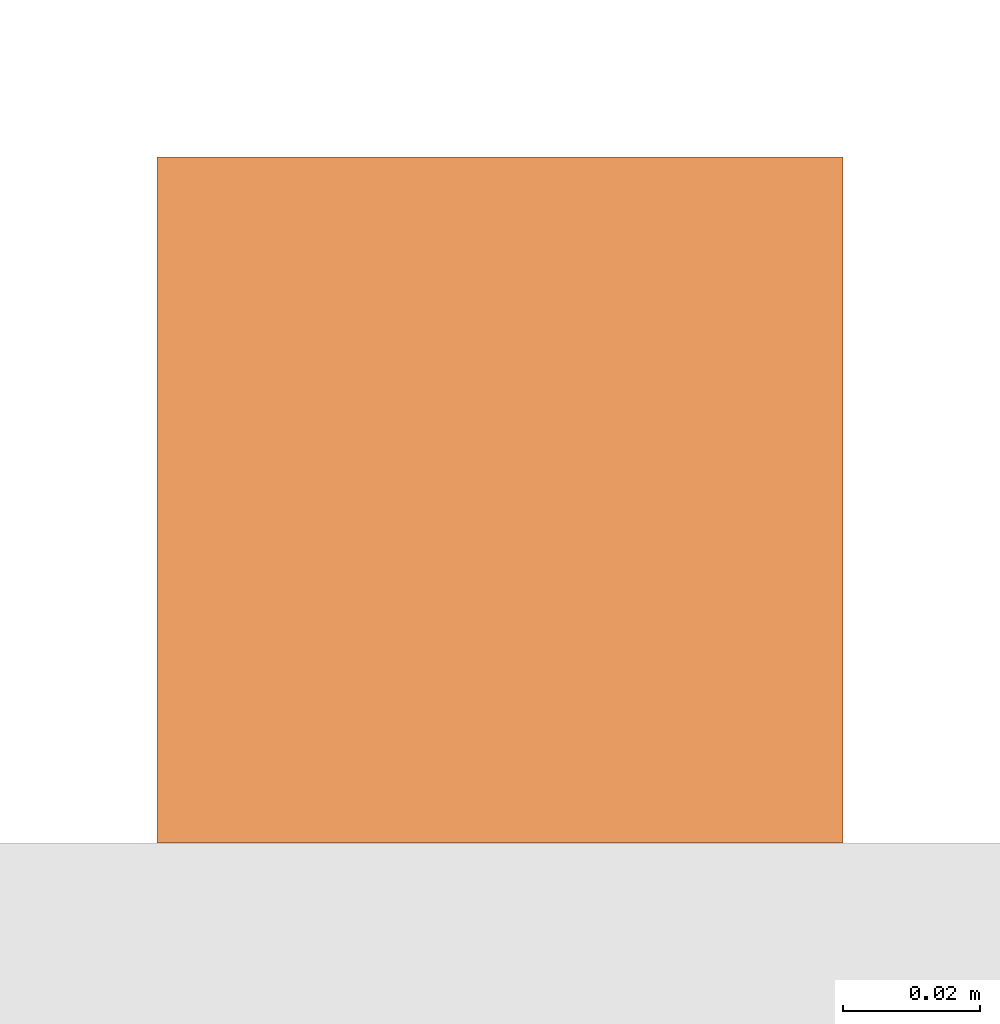
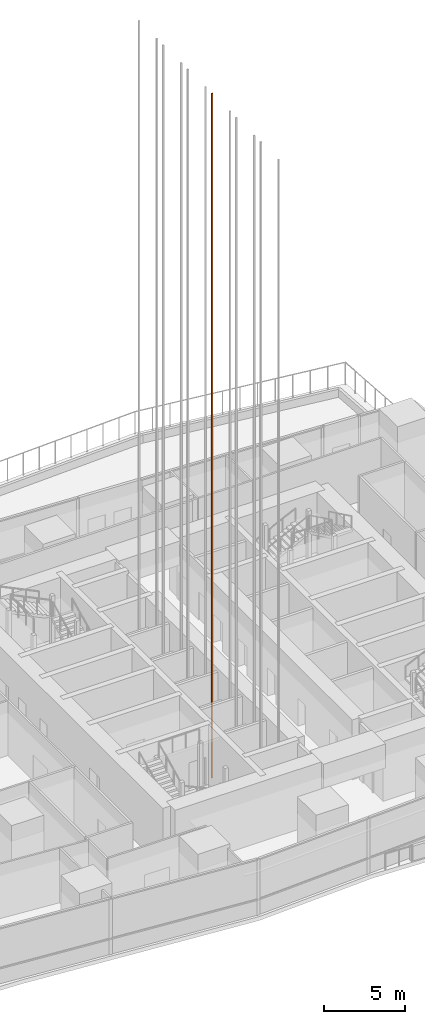
# One storey, part 33 of 39: 1 proxy.
"""IFC4 building model written with IfcOpenShell, lengths in metres."""

from ifc_helpers import new_model, si_unit, direction, frame, origin, origin_2d, place, context, subcontext, project, spatial, rectangle, extrude, material, type_object, element, save


model = new_model("IFC4")

# Units and contexts
model_context = context("Model", 3, precision=1e-05, world=origin(), true_north=direction((0.0, 1.0)))
body_context = subcontext(model_context, "Body", "Model", "MODEL_VIEW")
ifc_project = project(units=[si_unit("LENGTHUNIT", "METRE"), si_unit("AREAUNIT", "SQUARE_METRE"), si_unit("VOLUMEUNIT", "CUBIC_METRE"), si_unit("PLANEANGLEUNIT", "RADIAN"), si_unit("MASSUNIT", "GRAM", prefix="KILO")], contexts=[model_context])

# Site, building, storey
site_placement = place(None, origin())
site = spatial("IfcSite", under=ifc_project, at=site_placement, CompositionType="ELEMENT")
building_placement = place(site_placement, origin())
building = spatial("IfcBuilding", under=site, at=building_placement, Name="Rekha Terrace Tower", CompositionType="ELEMENT")
storey_placement = place(building_placement, frame((0.0, 0.0, 245.60009765625)))
storey = spatial("IfcBuildingStorey", under=building, at=storey_placement, Name="L62", CompositionType="ELEMENT", Elevation=245.60009765625)

# Proxy
ifc_material = material(Name="Steel guide rail", Category="steel")
building_element_proxy_type = type_object("IfcBuildingElementProxyType", Name="LR1 100 lift guide rail", PredefinedType="ELEMENT", material=ifc_material)
proxy_placement = place(storey_placement, frame((34.5, 32.0, -3.30029296875), z_axis=(0.0, 0.0, 1.0), x_axis=(1.0, 0.0, 0.0)))
element("IfcBuildingElementProxy", 1, at=proxy_placement, inside=storey, type_object=building_element_proxy_type, Name="Lift D3 guide rail 2", PredefinedType="ELEMENT", context=body_context, shape_type="SweptSolid", body=[
    extrude(rectangle(XDim=0.10009765625, YDim=0.10009765625, at=origin_2d()), origin(), (0.0, 0.0, 1.0), 51.449951171875),
])

save(model, "model.ifc")
